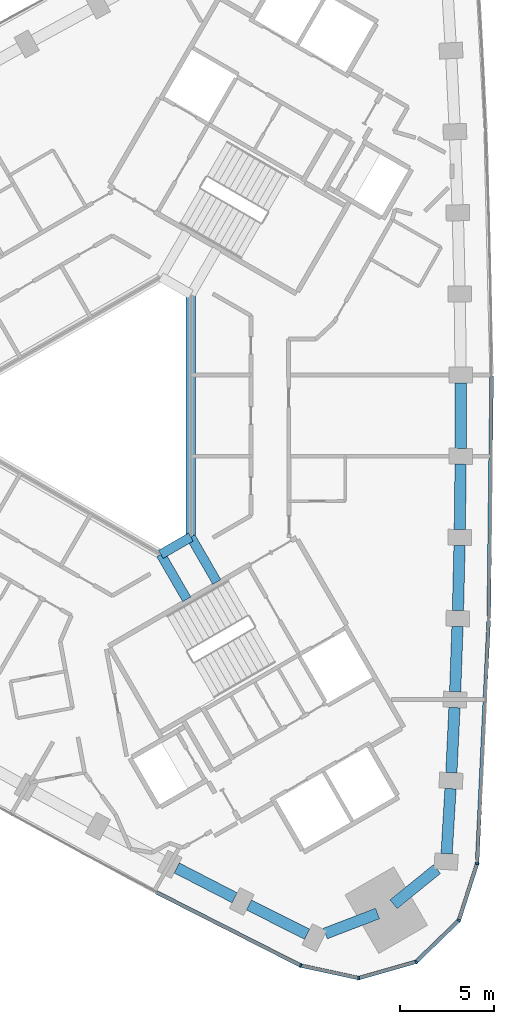
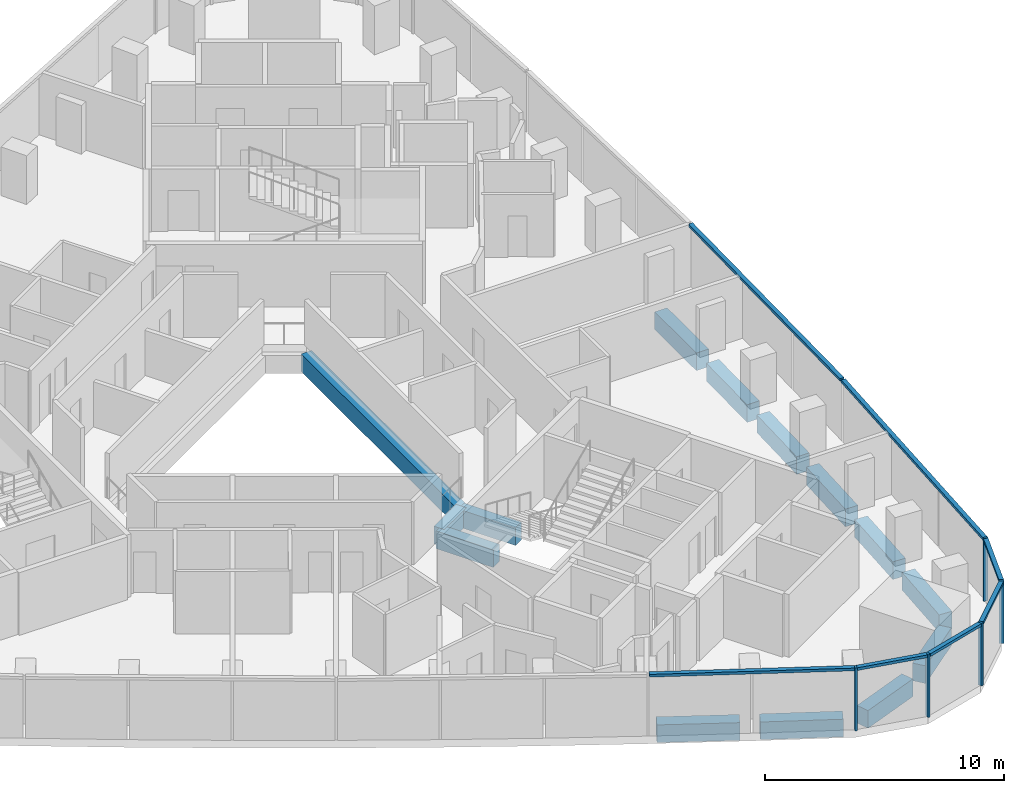
# One storey, part 3 of 13: 14 beams, 12 members, 2 elements without a shape of their own.
"""IFC4 building model written with IfcOpenShell, lengths in metres."""

from ifc_helpers import new_model, si_unit, direction, frame, origin, origin_2d, place, context, subcontext, project, spatial, rectangle, extrude, material, material_profile, profile_set, type_object, element, aggregate, save


model = new_model("IFC4")

# Units and contexts
model_context = context("Model", 3, precision=1e-05, world=origin(), true_north=direction((0.0, 1.0)))
body_context = subcontext(model_context, "Body", "Model", "MODEL_VIEW")
ifc_project = project(units=[si_unit("LENGTHUNIT", "METRE"), si_unit("AREAUNIT", "SQUARE_METRE"), si_unit("VOLUMEUNIT", "CUBIC_METRE"), si_unit("PLANEANGLEUNIT", "RADIAN"), si_unit("MASSUNIT", "GRAM", prefix="KILO")], contexts=[model_context])

# Site, building, storey
site_placement = place(None, origin())
site = spatial("IfcSite", under=ifc_project, at=site_placement, CompositionType="ELEMENT")
building_placement = place(site_placement, origin())
building = spatial("IfcBuilding", under=site, at=building_placement, Name="Tamra Quay Hotel Tower", CompositionType="ELEMENT")
storey_placement = place(building_placement, frame((0.0, 0.0, 161.199951171875)))
storey = spatial("IfcBuildingStorey", under=building, at=storey_placement, Name="L40", CompositionType="ELEMENT", Elevation=161.199951171875)

# Beams
ifc_material_1 = material(Name="Concrete M60", Category="concrete")
ifc_material_profile_1 = material_profile(ifc_material_1, rectangle(XDim=0.5, YDim=0.89990234375, at=origin_2d()), Name="ATRIUM EDGE BEAM RC 500x900")
ifc_profile_set_1 = profile_set([ifc_material_profile_1], Name="Concrete M60")
beam_type_1 = type_object("IfcBeamType", Name="ATRIUM EDGE BEAM RC 500x900", PredefinedType="BEAM", material=ifc_profile_set_1)
beam_1_placement = place(storey_placement, frame((4.800048828125, 6.46630859375, -0.849853515625), z_axis=(0.0, -1.0, 0.0), x_axis=(1.0, 0.0, 0.0)))
element("IfcBeam", 1, at=beam_1_placement, inside=storey, type_object=beam_type_1, Name="BM-AB0-L40", PredefinedType="BEAM", context=body_context, shape_type="SweptSolid", body=[
    extrude(rectangle(XDim=0.5, YDim=0.89990234375, at=origin_2d()), origin(), (0.0, 0.0, 1.0), 12.9326171875),
])
beam_2_placement = place(storey_placement, frame((4.800048828125, -6.46630859375, -0.849853515625), z_axis=(-0.86602275259, -0.500004591975, 0.0), x_axis=(0.500004591975, -0.86602275259, 0.0)))
element("IfcBeam", 2, at=beam_2_placement, inside=storey, type_object=beam_type_1, Name="BM-AB1-L40", PredefinedType="BEAM", context=body_context, shape_type="SweptSolid", body=[
    extrude(rectangle(XDim=0.5, YDim=0.89990234375, at=origin_2d()), origin(), (0.0, 0.0, 1.0), 1.84765625),
])
ifc_material_profile_2 = material_profile(ifc_material_1, rectangle(XDim=0.5, YDim=0.89990234375, at=origin_2d()), Name="ATRIUM TIE BEAM RC 500x900")
ifc_profile_set_2 = profile_set([ifc_material_profile_2], Name="Concrete M60")
beam_type_2 = type_object("IfcBeamType", Name="ATRIUM TIE BEAM RC 500x900", PredefinedType="BEAM", material=ifc_profile_set_2)
for number, where, z_axis, x_axis, name in (
    (3, (4.800048828125, -6.46630859375, -0.849853515625), (0.500008091576, -0.86602073206, 0.0), (0.86602073206, 0.500008091576, 0.0), "BM-TIE-1-L40"),
    (4, (3.199951171875, -7.39013671875, -0.849853515625), (0.500008091576, -0.86602073206, 0.0), (0.86602073206, 0.500008091576, 0.0), "BM-TIE-2-L40"),
):
    element("IfcBeam", number, at=place(storey_placement, frame(where, z_axis=z_axis, x_axis=x_axis)), inside=storey, type_object=beam_type_2, Name=name, PredefinedType="BEAM", context=body_context, shape_type="SweptSolid", body=[
        extrude(rectangle(XDim=0.5, YDim=0.89990234375, at=origin_2d()), origin(), (0.0, 0.0, 1.0), 2.76220703125),
    ])

# Curtain wall, member
ifc_material_2 = material(Name="Aluminium 6063 anodised dark grey", Category="aluminium")
curtain_wall_type_1 = type_object("IfcCurtainWallType", Name="CW1 CURTAIN WALL", PredefinedType="NOTDEFINED", material=ifc_material_2)
curtain_wall_1_placement = place(storey_placement, origin())
curtain_wall_1 = element("IfcCurtainWall", 5, at=curtain_wall_1_placement, inside=storey, type_object=curtain_wall_type_1, Name="CW1 east face L40", PredefinedType="NOTDEFINED")
ifc_material_profile_3 = material_profile(ifc_material_2, rectangle(XDim=0.199951171875, YDim=0.10009765625, at=origin_2d()), Name="MULLION 100X200")
ifc_profile_set_3 = profile_set([ifc_material_profile_3], Name="Aluminium 6063 anodised dark grey")
member_type_1 = type_object("IfcMemberType", Name="MULLION CW1 Z3", PredefinedType="MULLION", material=ifc_profile_set_3)
member_1_placement = place(storey_placement, frame((20.042236328125, -23.864990234375, 0.0), z_axis=(0.0, 0.0, 1.0), x_axis=(0.982883191402, -0.184229834881, 0.0)))
member_1 = element("IfcMember", 6, at=member_1_placement, type_object=member_type_1, Name="CW1 mullion L40.E.1", PredefinedType="MULLION", context=body_context, shape_type="SweptSolid", body=[
    extrude(rectangle(XDim=0.199951171875, YDim=0.10009765625, at=origin_2d()), origin(), (0.0, 0.0, 1.0), 3.199951171875),
])

# Curtain wall, members
curtain_wall_type_2 = type_object("IfcCurtainWallType", Name="CW3 CURTAIN WALL", PredefinedType="NOTDEFINED", material=ifc_material_2)
curtain_wall_2_placement = place(storey_placement, origin())
curtain_wall_2 = element("IfcCurtainWall", 7, at=curtain_wall_2_placement, inside=storey, type_object=curtain_wall_type_2, Name="CW3 south-west face L40", PredefinedType="NOTDEFINED")
ifc_material_profile_4 = material_profile(ifc_material_2, rectangle(XDim=0.199951171875, YDim=0.10009765625, at=origin_2d()), Name="MULLION 100X200")
ifc_profile_set_4 = profile_set([ifc_material_profile_4], Name="Aluminium 6063 anodised dark grey")
member_type_2 = type_object("IfcMemberType", Name="MULLION CW3 Z3", PredefinedType="MULLION", material=ifc_profile_set_4)
member_2_placement = place(storey_placement, frame((10.646728515625, -29.28955078125, 0.0), z_axis=(0.0, 0.0, 1.0), x_axis=(-0.331893878559, -0.943316730147, 0.0)))
member_2 = element("IfcMember", 8, at=member_2_placement, type_object=member_type_2, Name="CW3 mullion L40.SW.12", PredefinedType="MULLION", context=body_context, shape_type="SweptSolid", body=[
    extrude(rectangle(XDim=0.199951171875, YDim=0.10009765625, at=origin_2d()), origin(), (0.0, 0.0, 1.0), 3.199951171875),
])
member_3_placement = place(storey_placement, frame((13.74560546875, -29.958740234375, 0.0), z_axis=(0.0, 0.0, 1.0), x_axis=(0.032727311619, -0.99946431806, 0.0)))
member_3 = element("IfcMember", 9, at=member_3_placement, type_object=member_type_2, Name="CW3 mullion L40.SW.13", PredefinedType="MULLION", context=body_context, shape_type="SweptSolid", body=[
    extrude(rectangle(XDim=0.199951171875, YDim=0.10009765625, at=origin_2d()), origin(), (0.0, 0.0, 1.0), 3.199951171875),
])
member_4_placement = place(storey_placement, frame((16.794189453125, -29.088134765625, 0.0), z_axis=(0.0, 0.0, 1.0), x_axis=(0.5, -0.866025403784, 0.0)))
member_4 = element("IfcMember", 10, at=member_4_placement, type_object=member_type_2, Name="CW3 mullion L40.SW.14", PredefinedType="MULLION", context=body_context, shape_type="SweptSolid", body=[
    extrude(rectangle(XDim=0.199951171875, YDim=0.10009765625, at=origin_2d()), origin(), (0.0, 0.0, 1.0), 3.199951171875),
])
member_5_placement = place(storey_placement, frame((19.072265625, -26.883544921875, 0.0), z_axis=(0.0, 0.0, 1.0), x_axis=(0.849197833806, -0.52807484229, 0.0)))
member_5 = element("IfcMember", 11, at=member_5_placement, type_object=member_type_2, Name="CW3 mullion L40.SW.15", PredefinedType="MULLION", context=body_context, shape_type="SweptSolid", body=[
    extrude(rectangle(XDim=0.199951171875, YDim=0.10009765625, at=origin_2d()), origin(), (0.0, 0.0, 1.0), 3.199951171875),
])

# Beams
ifc_material_profile_5 = material_profile(ifc_material_1, rectangle(XDim=0.60009765625, YDim=0.89990234375, at=origin_2d()), Name="SPANDREL BEAM RC 600x900")
ifc_profile_set_5 = profile_set([ifc_material_profile_5], Name="Concrete M60")
beam_type_3 = type_object("IfcBeamType", Name="SPANDREL BEAM RC 600x900", PredefinedType="SPANDREL", material=ifc_profile_set_5)
beam_3_placement = place(storey_placement, frame((18.422119140625, -23.3330078125, -0.849853515625), z_axis=(0.059620475238, 0.998221117254, 0.0), x_axis=(-0.998221117254, 0.059620475238, 0.0)))
element("IfcBeam", 12, at=beam_3_placement, inside=storey, type_object=beam_type_3, Name="BM-SP3-000-L40", PredefinedType="SPANDREL", context=body_context, shape_type="SweptSolid", body=[
    extrude(rectangle(XDim=0.60009765625, YDim=0.89990234375, at=origin_2d()), origin(), (0.0, 0.0, 1.0), 3.472412109375),
])
beam_4_placement = place(storey_placement, frame((18.6748046875, -19.017822265625, -0.849853515625), z_axis=(0.047732145575, 0.998860171535, 0.0), x_axis=(-0.998860171535, 0.047732145575, 0.0)))
element("IfcBeam", 13, at=beam_4_placement, inside=storey, type_object=beam_type_3, Name="BM-SP3-001-L40", PredefinedType="SPANDREL", context=body_context, shape_type="SweptSolid", body=[
    extrude(rectangle(XDim=0.60009765625, YDim=0.89990234375, at=origin_2d()), origin(), (0.0, 0.0, 1.0), 3.472900390625),
])
beam_5_placement = place(storey_placement, frame((18.876220703125, -14.69970703125, -0.849853515625), z_axis=(0.035786826945, 0.999359446354, 0.0), x_axis=(-0.999359446354, 0.035786826945, 0.0)))
element("IfcBeam", 14, at=beam_5_placement, inside=storey, type_object=beam_type_3, Name="BM-SP3-002-L40", PredefinedType="SPANDREL", context=body_context, shape_type="SweptSolid", body=[
    extrude(rectangle(XDim=0.60009765625, YDim=0.89990234375, at=origin_2d()), origin(), (0.0, 0.0, 1.0), 3.472412109375),
])
beam_6_placement = place(storey_placement, frame((19.02587890625, -10.3798828125, -0.849853515625), z_axis=(0.023906514803, 0.999714198434, 0.0), x_axis=(-0.999714198434, 0.023906514803, 0.0)))
element("IfcBeam", 15, at=beam_6_placement, inside=storey, type_object=beam_type_3, Name="BM-SP3-003-L40", PredefinedType="SPANDREL", context=body_context, shape_type="SweptSolid", body=[
    extrude(rectangle(XDim=0.60009765625, YDim=0.89990234375, at=origin_2d()), origin(), (0.0, 0.0, 1.0), 3.47216796875),
])
beam_7_placement = place(storey_placement, frame((19.124267578125, -6.05859375, -0.849853515625), z_axis=(0.011951617666, 0.999928576867, 0.0), x_axis=(-0.999928576867, 0.011951617666, 0.0)))
element("IfcBeam", 16, at=beam_7_placement, inside=storey, type_object=beam_type_3, Name="BM-SP3-004-L40", PredefinedType="SPANDREL", context=body_context, shape_type="SweptSolid", body=[
    extrude(rectangle(XDim=0.60009765625, YDim=0.89990234375, at=origin_2d()), origin(), (0.0, 0.0, 1.0), 3.47265625),
])
beam_8_placement = place(storey_placement, frame((19.1708984375, -1.736083984375, -0.849853515625), z_axis=(0.0, 1.0, 0.0), x_axis=(-1.0, 0.0, 0.0)))
element("IfcBeam", 17, at=beam_8_placement, inside=storey, type_object=beam_type_3, Name="BM-SP3-005-L40", PredefinedType="SPANDREL", context=body_context, shape_type="SweptSolid", body=[
    extrude(rectangle(XDim=0.60009765625, YDim=0.89990234375, at=origin_2d()), origin(), (0.0, 0.0, 1.0), 3.47216796875),
])
beam_9_placement = place(storey_placement, frame((4.04541015625, -24.0908203125, -0.849853515625), z_axis=(0.888919913451, -0.458062645792, 0.0), x_axis=(0.458062645792, 0.888919913451, 0.0)))
element("IfcBeam", 18, at=beam_9_placement, inside=storey, type_object=beam_type_3, Name="BM-SP3-035-L40", PredefinedType="SPANDREL", context=body_context, shape_type="SweptSolid", body=[
    extrude(rectangle(XDim=0.60009765625, YDim=0.89990234375, at=origin_2d()), origin(), (0.0, 0.0, 1.0), 3.472900390625),
])
beam_10_placement = place(storey_placement, frame((7.890380859375, -26.066650390625, -0.849853515625), z_axis=(0.894314670292, -0.447438566174, 0.0), x_axis=(0.447438566174, 0.894314670292, 0.0)))
element("IfcBeam", 19, at=beam_10_placement, inside=storey, type_object=beam_type_3, Name="BM-SP3-036-L40", PredefinedType="SPANDREL", context=body_context, shape_type="SweptSolid", body=[
    extrude(rectangle(XDim=0.60009765625, YDim=0.89990234375, at=origin_2d()), origin(), (0.0, 0.0, 1.0), 3.472412109375),
])
beam_11_placement = place(storey_placement, frame((11.960693359375, -27.586181640625, -0.849853515625), z_axis=(0.933527198951, 0.358506581278, 0.0), x_axis=(-0.358506581278, 0.933527198951, 0.0)))
element("IfcBeam", 20, at=beam_11_placement, inside=storey, type_object=beam_type_3, Name="BM-SP3-037-L40", PredefinedType="SPANDREL", context=body_context, shape_type="SweptSolid", body=[
    extrude(rectangle(XDim=0.60009765625, YDim=0.89990234375, at=origin_2d()), origin(), (0.0, 0.0, 1.0), 2.97802734375),
])
beam_12_placement = place(storey_placement, frame((15.595703125, -26.02490234375, -0.849853515625), z_axis=(0.777183767602, 0.629273701482, 0.0), x_axis=(-0.629273701482, 0.777183767602, 0.0)))
element("IfcBeam", 21, at=beam_12_placement, inside=storey, type_object=beam_type_3, Name="BM-SP3-038-L40", PredefinedType="SPANDREL", context=body_context, shape_type="SweptSolid", body=[
    extrude(rectangle(XDim=0.60009765625, YDim=0.89990234375, at=origin_2d()), origin(), (0.0, 0.0, 1.0), 2.977783203125),
])

# Member
ifc_material_profile_6 = material_profile(ifc_material_2, rectangle(XDim=0.199951171875, YDim=0.139892578125, at=origin_2d()), Name="TRANSOM 200X140")
ifc_profile_set_6 = profile_set([ifc_material_profile_6], Name="Aluminium 6063 anodised dark grey")
member_type_3 = type_object("IfcMemberType", Name="TRANSOM CW1 Z3", PredefinedType="USERDEFINED", material=ifc_profile_set_6)
member_6_placement = place(storey_placement, frame((20.045166015625, -23.815185546875, 3.130126953125), z_axis=(0.047748214434, 0.998859403529, 0.0), x_axis=(-0.998859403529, 0.047748214434, 0.0)))
member_6 = element("IfcMember", 22, at=member_6_placement, type_object=member_type_3, Name="CW1 transom L40.E.1", ObjectType="TRANSOM", PredefinedType="USERDEFINED", context=body_context, shape_type="SweptSolid", body=[
    extrude(rectangle(XDim=0.199951171875, YDim=0.139892578125, at=origin_2d()), origin(), (0.0, 0.0, 1.0), 12.92578125),
])

member_7_placement = place(storey_placement, frame((20.665283203125, -10.80419921875, 3.130126953125), z_axis=(0.011955400346, 0.999928531647, 0.0), x_axis=(-0.999928531647, 0.011955400346, 0.0)))
member_7 = element("IfcMember", 23, at=member_7_placement, type_object=member_type_3, Name="CW1 transom L40.E.4", ObjectType="TRANSOM", PredefinedType="USERDEFINED", context=body_context, shape_type="SweptSolid", body=[
    extrude(rectangle(XDim=0.199951171875, YDim=0.139892578125, at=origin_2d()), origin(), (0.0, 0.0, 1.0), 12.926513671875),
])

aggregate(curtain_wall_1, [member_1, member_6, member_7])

ifc_material_profile_7 = material_profile(ifc_material_2, rectangle(XDim=0.199951171875, YDim=0.139892578125, at=origin_2d()), Name="TRANSOM 200X140")
ifc_profile_set_7 = profile_set([ifc_material_profile_7], Name="Aluminium 6063 anodised dark grey")
member_type_4 = type_object("IfcMemberType", Name="TRANSOM CW3 Z3", PredefinedType="USERDEFINED", material=ifc_profile_set_7)
member_8_placement = place(storey_placement, frame((2.948486328125, -25.380615234375, 3.130126953125), z_axis=(0.891628261752, -0.452768199905, 0.0), x_axis=(0.452768199905, 0.891628261752, 0.0)))
member_8 = element("IfcMember", 24, at=member_8_placement, type_object=member_type_4, Name="CW3 transom L40.SW.10", ObjectType="TRANSOM", PredefinedType="USERDEFINED", context=body_context, shape_type="SweptSolid", body=[
    extrude(rectangle(XDim=0.199951171875, YDim=0.139892578125, at=origin_2d()), origin(), (0.0, 0.0, 1.0), 8.583740234375),
])

member_9_placement = place(storey_placement, frame((10.695556640625, -29.300048828125, 3.130126953125), z_axis=(0.977462525021, -0.211109005445, 0.0), x_axis=(0.211109005445, 0.977462525021, 0.0)))
member_9 = element("IfcMember", 25, at=member_9_placement, type_object=member_type_4, Name="CW3 transom L40.SW.12", ObjectType="TRANSOM", PredefinedType="USERDEFINED", context=body_context, shape_type="SweptSolid", body=[
    extrude(rectangle(XDim=0.199951171875, YDim=0.139892578125, at=origin_2d()), origin(), (0.0, 0.0, 1.0), 3.0703125),
])

member_10_placement = place(storey_placement, frame((13.793701171875, -29.945068359375, 3.130126953125), z_axis=(0.961568942949, 0.274563595469, 0.0), x_axis=(-0.274563595469, 0.961568942949, 0.0)))
member_10 = element("IfcMember", 26, at=member_10_placement, type_object=member_type_4, Name="CW3 transom L40.SW.13", ObjectType="TRANSOM", PredefinedType="USERDEFINED", context=body_context, shape_type="SweptSolid", body=[
    extrude(rectangle(XDim=0.199951171875, YDim=0.139892578125, at=origin_2d()), origin(), (0.0, 0.0, 1.0), 3.0703125),
])

member_11_placement = place(storey_placement, frame((16.830078125, -29.053466796875, 3.130126953125), z_axis=(0.71858163235, 0.695442619955, 0.0), x_axis=(-0.695442619955, 0.71858163235, 0.0)))
member_11 = element("IfcMember", 27, at=member_11_placement, type_object=member_type_4, Name="CW3 transom L40.SW.14", ObjectType="TRANSOM", PredefinedType="USERDEFINED", context=body_context, shape_type="SweptSolid", body=[
    extrude(rectangle(XDim=0.199951171875, YDim=0.139892578125, at=origin_2d()), origin(), (0.0, 0.0, 1.0), 3.0703125),
])

member_12_placement = place(storey_placement, frame((19.087646484375, -26.8359375, 3.130126953125), z_axis=(0.30588048859, 0.952069916918, 0.0), x_axis=(-0.952069916918, 0.30588048859, 0.0)))
member_12 = element("IfcMember", 28, at=member_12_placement, type_object=member_type_4, Name="CW3 transom L40.SW.15", ObjectType="TRANSOM", PredefinedType="USERDEFINED", context=body_context, shape_type="SweptSolid", body=[
    extrude(rectangle(XDim=0.199951171875, YDim=0.139892578125, at=origin_2d()), origin(), (0.0, 0.0, 1.0), 3.070556640625),
])

aggregate(curtain_wall_2, [member_8, member_2, member_9, member_3, member_10, member_4, member_11, member_5, member_12])

save(model, "model.ifc")
